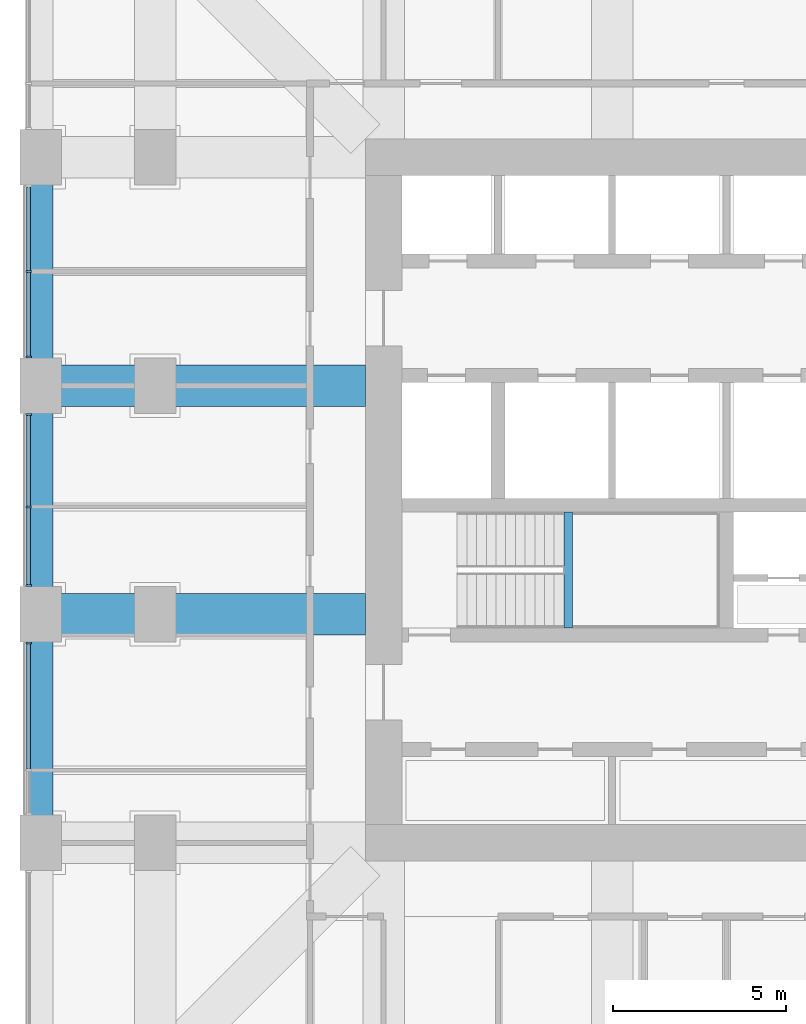
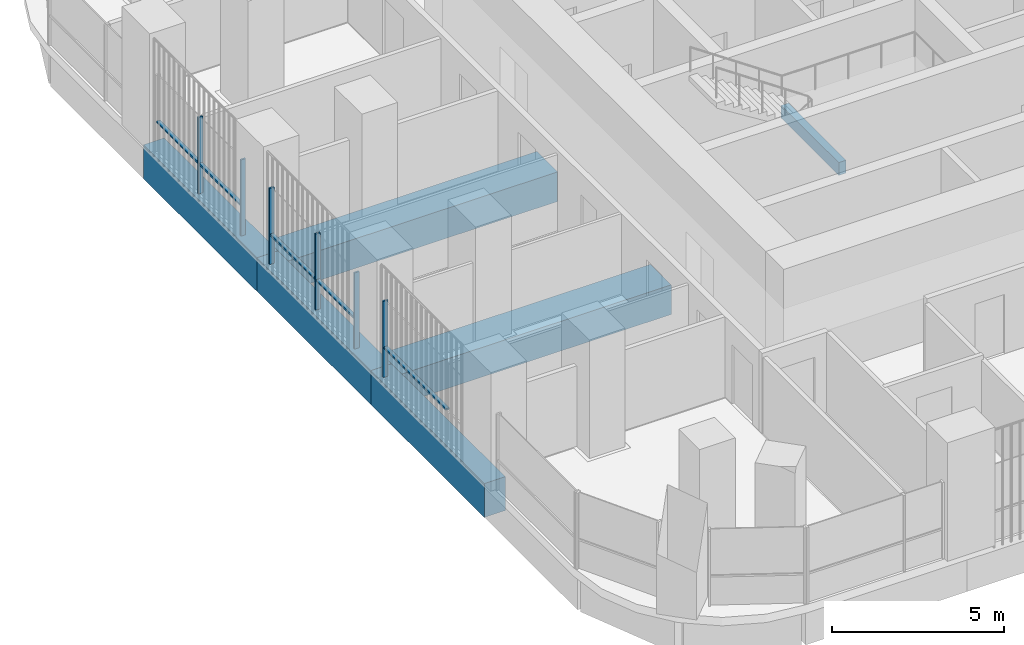
# One storey, part 4 of 19: 11 members, 6 beams, 3 elements without a shape of their own.
"""IFC4 building model written with IfcOpenShell, lengths in metres."""

from ifc_helpers import new_model, si_unit, direction, frame, origin, origin_2d, place, context, subcontext, project, spatial, rectangle, extrude, material, material_profile, profile_set, type_object, element, aggregate, save


model = new_model("IFC4")

# Units and contexts
model_context = context("Model", 3, precision=1e-05, world=origin(), true_north=direction((0.0, 1.0)))
body_context = subcontext(model_context, "Body", "Model", "MODEL_VIEW")
ifc_project = project(units=[si_unit("LENGTHUNIT", "METRE"), si_unit("AREAUNIT", "SQUARE_METRE"), si_unit("VOLUMEUNIT", "CUBIC_METRE"), si_unit("PLANEANGLEUNIT", "RADIAN"), si_unit("MASSUNIT", "GRAM", prefix="KILO")], contexts=[model_context])

# Site, building, storey
site_placement = place(None, origin())
site = spatial("IfcSite", under=ifc_project, at=site_placement, CompositionType="ELEMENT")
building_placement = place(site_placement, origin())
building = spatial("IfcBuilding", under=site, at=building_placement, Name="Cobogo Forest Laboratory Tower", CompositionType="ELEMENT")
storey_placement = place(building_placement, frame((0.0, 0.0, 164.10009765625)))
storey = spatial("IfcBuildingStorey", under=building, at=storey_placement, Name="L37", CompositionType="ELEMENT", Elevation=164.10009765625)

# Beams
ifc_material_1 = material(Name="Concrete HA-40 (C40/50)", Category="concrete")
ifc_material_profile_1 = material_profile(ifc_material_1, rectangle(XDim=0.25, YDim=0.449951171875, at=origin_2d()), Name="RC 250x450")
ifc_profile_set_1 = profile_set([ifc_material_profile_1], Name="Concrete HA-40 (C40/50)")
beam_type_1 = type_object("IfcBeamType", Name="LB1 landing beam 250x450", PredefinedType="BEAM", material=ifc_profile_set_1)
beam_1_placement = place(storey_placement, frame((18.530029296875, 19.39990234375, 1.6748046875), z_axis=(0.0, 1.0, 0.0), x_axis=(-1.0, 0.0, 0.0)))
element("IfcBeam", 1, at=beam_1_placement, inside=storey, type_object=beam_type_1, Name="Landing beam ST1 L37", PredefinedType="BEAM", context=body_context, shape_type="SweptSolid", body=[
    extrude(rectangle(XDim=0.25, YDim=0.449951171875, at=origin_2d()), origin(), (0.0, 0.0, 1.0), 3.35009765625),
])
ifc_material_profile_2 = material_profile(ifc_material_1, rectangle(XDim=1.199951171875, YDim=1.050048828125, at=origin_2d()), Name="RC 1200x1050")
ifc_profile_set_2 = profile_set([ifc_material_profile_2], Name="Concrete HA-40 (C40/50)")
beam_type_2 = type_object("IfcBeamType", Name="Laboratory floor wide beam 1200x1050", PredefinedType="BEAM", material=ifc_profile_set_2)
for number, where, z_axis, x_axis, name in (
    (2, (12.675048828125, 19.800048828125, -0.8251953125), (-1.0, 0.0, 0.0), (0.0, -1.0, 0.0), "RB1 R-D-W L37"),
    (3, (12.675048828125, 26.39990234375, -0.8251953125), (-1.0, 0.0, 0.0), (0.0, -1.0, 0.0), "RB1 R-E-W L37"),
):
    element("IfcBeam", number, at=place(storey_placement, frame(where, z_axis=z_axis, x_axis=x_axis)), inside=storey, type_object=beam_type_2, Name=name, PredefinedType="BEAM", context=body_context, shape_type="SweptSolid", body=[
        extrude(rectangle(XDim=1.199951171875, YDim=1.050048828125, at=origin_2d()), origin(), (0.0, 0.0, 1.0), 9.375),
    ])

# Curtain wall, members
ifc_material_2 = material(Name="Aluminium curtain wall", Category="aluminium")
curtain_wall_type = type_object("IfcCurtainWallType", Name="CW-2 unitised curtain wall, solar control glazing, laboratory floors zones C and D", PredefinedType="USERDEFINED", material=ifc_material_2)
curtain_wall_1_placement = place(storey_placement, origin())
curtain_wall_1 = element("IfcCurtainWall", 4, at=curtain_wall_1_placement, inside=storey, type_object=curtain_wall_type, Name="Curtain wall 25 L37", ObjectType="UNITISED CURTAIN WALL", PredefinedType="USERDEFINED")
ifc_material_3 = material(Name="Aluminium mullion", Category="aluminium")
ifc_material_profile_3 = material_profile(ifc_material_3, rectangle(XDim=0.06005859375, YDim=0.159912109375, at=origin_2d()), Name="AL 60x160")
ifc_profile_set_3 = profile_set([ifc_material_profile_3], Name="Aluminium mullion")
member_type_1 = type_object("IfcMemberType", Name="MU-1 aluminium mullion 60x160", PredefinedType="MULLION", material=ifc_profile_set_3)
member_1_placement = place(storey_placement, frame((2.949951171875, 29.699951171875, 0.0), z_axis=(0.0, 0.0, 1.0), x_axis=(0.0, -1.0, 0.0)))
member_1 = element("IfcMember", 5, at=member_1_placement, type_object=member_type_1, Name="CW-2 mullion 2", PredefinedType="MULLION", context=body_context, shape_type="SweptSolid", body=[
    extrude(rectangle(XDim=0.06005859375, YDim=0.159912109375, at=origin_2d()), origin(), (0.0, 0.0, 1.0), 2.699951171875),
])
member_2_placement = place(storey_placement, frame((2.949951171875, 27.22998046875, 0.0), z_axis=(0.0, 0.0, 1.0), x_axis=(0.0, -1.0, 0.0)))
member_2 = element("IfcMember", 6, at=member_2_placement, type_object=member_type_1, Name="CW-2 mullion 3", PredefinedType="MULLION", context=body_context, shape_type="SweptSolid", body=[
    extrude(rectangle(XDim=0.06005859375, YDim=0.159912109375, at=origin_2d()), origin(), (0.0, 0.0, 1.0), 2.699951171875),
])

curtain_wall_2_placement = place(storey_placement, origin())
curtain_wall_2 = element("IfcCurtainWall", 7, at=curtain_wall_2_placement, inside=storey, type_object=curtain_wall_type, Name="Curtain wall 26 L37", ObjectType="UNITISED CURTAIN WALL", PredefinedType="USERDEFINED")
member_3_placement = place(storey_placement, frame((2.949951171875, 25.570068359375, 0.0), z_axis=(0.0, 0.0, 1.0), x_axis=(0.0, -1.0, 0.0)))
member_3 = element("IfcMember", 8, at=member_3_placement, type_object=member_type_1, Name="CW-2 mullion 1", PredefinedType="MULLION", context=body_context, shape_type="SweptSolid", body=[
    extrude(rectangle(XDim=0.06005859375, YDim=0.159912109375, at=origin_2d()), origin(), (0.0, 0.0, 1.0), 2.699951171875),
])
member_4_placement = place(storey_placement, frame((2.949951171875, 22.89990234375, 0.0), z_axis=(0.0, 0.0, 1.0), x_axis=(0.0, -1.0, 0.0)))
member_4 = element("IfcMember", 9, at=member_4_placement, type_object=member_type_1, Name="CW-2 mullion 2", PredefinedType="MULLION", context=body_context, shape_type="SweptSolid", body=[
    extrude(rectangle(XDim=0.06005859375, YDim=0.159912109375, at=origin_2d()), origin(), (0.0, 0.0, 1.0), 2.699951171875),
])
member_5_placement = place(storey_placement, frame((2.949951171875, 20.6298828125, 0.0), z_axis=(0.0, 0.0, 1.0), x_axis=(0.0, -1.0, 0.0)))
member_5 = element("IfcMember", 10, at=member_5_placement, type_object=member_type_1, Name="CW-2 mullion 3", PredefinedType="MULLION", context=body_context, shape_type="SweptSolid", body=[
    extrude(rectangle(XDim=0.06005859375, YDim=0.159912109375, at=origin_2d()), origin(), (0.0, 0.0, 1.0), 2.699951171875),
])

# Curtain wall, member
curtain_wall_3_placement = place(storey_placement, origin())
curtain_wall_3 = element("IfcCurtainWall", 11, at=curtain_wall_3_placement, inside=storey, type_object=curtain_wall_type, Name="Curtain wall 27 L37", ObjectType="UNITISED CURTAIN WALL", PredefinedType="USERDEFINED")
member_6_placement = place(storey_placement, frame((2.949951171875, 18.969970703125, 0.0), z_axis=(0.0, 0.0, 1.0), x_axis=(0.0, -1.0, 0.0)))
member_6 = element("IfcMember", 12, at=member_6_placement, type_object=member_type_1, Name="CW-2 mullion 1", PredefinedType="MULLION", context=body_context, shape_type="SweptSolid", body=[
    extrude(rectangle(XDim=0.06005859375, YDim=0.159912109375, at=origin_2d()), origin(), (0.0, 0.0, 1.0), 2.699951171875),
])

# Beams
ifc_material_profile_4 = material_profile(ifc_material_1, rectangle(XDim=0.699951171875, YDim=1.199951171875, at=origin_2d()), Name="RC 700x1200")
ifc_profile_set_4 = profile_set([ifc_material_profile_4], Name="Concrete HA-40 (C40/50)")
beam_type_3 = type_object("IfcBeamType", Name="Perimeter edge beam 700x1200", PredefinedType="BEAM", material=ifc_profile_set_4)
beam_2_placement = place(storey_placement, frame((3.300048828125, 13.199951171875, -0.900146484375), z_axis=(0.0, 1.0, 0.0), x_axis=(-1.0, 0.0, 0.0)))
element("IfcBeam", 13, at=beam_2_placement, inside=storey, type_object=beam_type_3, Name="EB1 E-W1 L37", PredefinedType="BEAM", context=body_context, shape_type="SweptSolid", body=[
    extrude(rectangle(XDim=0.699951171875, YDim=1.199951171875, at=origin_2d()), origin(), (0.0, 0.0, 1.0), 6.60009765625),
])
beam_3_placement = place(storey_placement, frame((3.300048828125, 19.800048828125, -0.900146484375), z_axis=(0.0, 1.0, 0.0), x_axis=(-1.0, 0.0, 0.0)))
element("IfcBeam", 14, at=beam_3_placement, inside=storey, type_object=beam_type_3, Name="EB1 E-W2 L37", PredefinedType="BEAM", context=body_context, shape_type="SweptSolid", body=[
    extrude(rectangle(XDim=0.699951171875, YDim=1.199951171875, at=origin_2d()), origin(), (0.0, 0.0, 1.0), 6.599853515625),
])
beam_4_placement = place(storey_placement, frame((3.300048828125, 26.39990234375, -0.900146484375), z_axis=(0.0, 1.0, 0.0), x_axis=(-1.0, 0.0, 0.0)))
element("IfcBeam", 15, at=beam_4_placement, inside=storey, type_object=beam_type_3, Name="EB1 E-W3 L37", PredefinedType="BEAM", context=body_context, shape_type="SweptSolid", body=[
    extrude(rectangle(XDim=0.699951171875, YDim=1.199951171875, at=origin_2d()), origin(), (0.0, 0.0, 1.0), 6.60009765625),
])

# Member
ifc_material_4 = material(Name="Aluminium transom", Category="aluminium")
ifc_material_profile_5 = material_profile(ifc_material_4, rectangle(XDim=0.1201171875, YDim=0.06005859375, at=origin_2d()), Name="AL 60x120")
ifc_profile_set_5 = profile_set([ifc_material_profile_5], Name="Aluminium transom")
member_type_2 = type_object("IfcMemberType", Name="TR-1 aluminium transom 60x120", PredefinedType="USERDEFINED", material=ifc_profile_set_5)
member_7_placement = place(storey_placement, frame((2.949951171875, 32.139892578125, 1.0498046875), z_axis=(0.0, -1.0, 0.0), x_axis=(1.0, 0.0, 0.0)))
member_7 = element("IfcMember", 16, at=member_7_placement, type_object=member_type_2, Name="CW-2 transom 1.1", ObjectType="TRANSOM", PredefinedType="USERDEFINED", context=body_context, shape_type="SweptSolid", body=[
    extrude(rectangle(XDim=0.1201171875, YDim=0.06005859375, at=origin_2d()), origin(), (0.0, 0.0, 1.0), 2.409912109375),
])

member_8_placement = place(storey_placement, frame((2.949951171875, 29.669921875, 1.0498046875), z_axis=(0.0, -1.0, 0.0), x_axis=(1.0, 0.0, 0.0)))
member_8 = element("IfcMember", 17, at=member_8_placement, type_object=member_type_2, Name="CW-2 transom 2.1", ObjectType="TRANSOM", PredefinedType="USERDEFINED", context=body_context, shape_type="SweptSolid", body=[
    extrude(rectangle(XDim=0.1201171875, YDim=0.06005859375, at=origin_2d()), origin(), (0.0, 0.0, 1.0), 2.409912109375),
])

aggregate(curtain_wall_1, [member_1, member_2, member_7, member_8])

member_9_placement = place(storey_placement, frame((2.949951171875, 25.5400390625, 1.0498046875), z_axis=(0.0, -1.0, 0.0), x_axis=(1.0, 0.0, 0.0)))
member_9 = element("IfcMember", 18, at=member_9_placement, type_object=member_type_2, Name="CW-2 transom 1.1", ObjectType="TRANSOM", PredefinedType="USERDEFINED", context=body_context, shape_type="SweptSolid", body=[
    extrude(rectangle(XDim=0.1201171875, YDim=0.06005859375, at=origin_2d()), origin(), (0.0, 0.0, 1.0), 2.610107421875),
])

member_10_placement = place(storey_placement, frame((2.949951171875, 22.8701171875, 1.0498046875), z_axis=(0.0, -1.0, 0.0), x_axis=(1.0, 0.0, 0.0)))
member_10 = element("IfcMember", 19, at=member_10_placement, type_object=member_type_2, Name="CW-2 transom 2.1", ObjectType="TRANSOM", PredefinedType="USERDEFINED", context=body_context, shape_type="SweptSolid", body=[
    extrude(rectangle(XDim=0.1201171875, YDim=0.06005859375, at=origin_2d()), origin(), (0.0, 0.0, 1.0), 2.210205078125),
])

aggregate(curtain_wall_2, [member_3, member_4, member_5, member_9, member_10])

member_11_placement = place(storey_placement, frame((2.949951171875, 18.93994140625, 1.0498046875), z_axis=(0.0, -1.0, 0.0), x_axis=(1.0, 0.0, 0.0)))
member_11 = element("IfcMember", 20, at=member_11_placement, type_object=member_type_2, Name="CW-2 transom 1.1", ObjectType="TRANSOM", PredefinedType="USERDEFINED", context=body_context, shape_type="SweptSolid", body=[
    extrude(rectangle(XDim=0.1201171875, YDim=0.06005859375, at=origin_2d()), origin(), (0.0, 0.0, 1.0), 3.60986328125),
])

aggregate(curtain_wall_3, [member_6, member_11])

save(model, "model.ifc")
